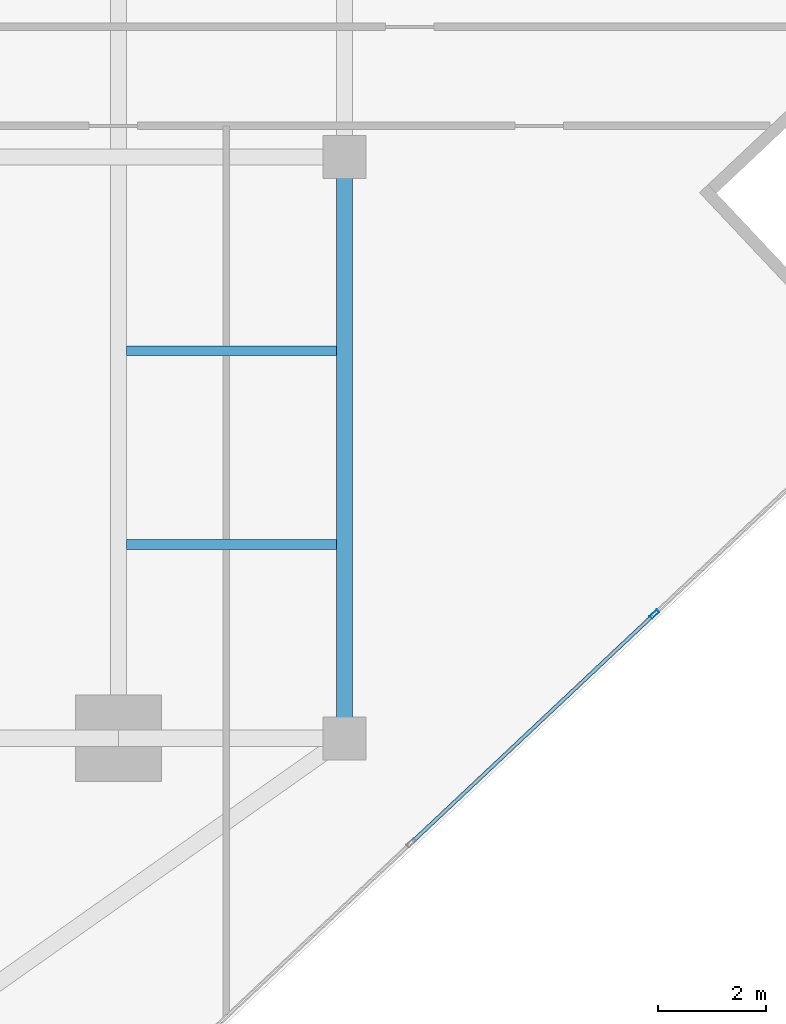
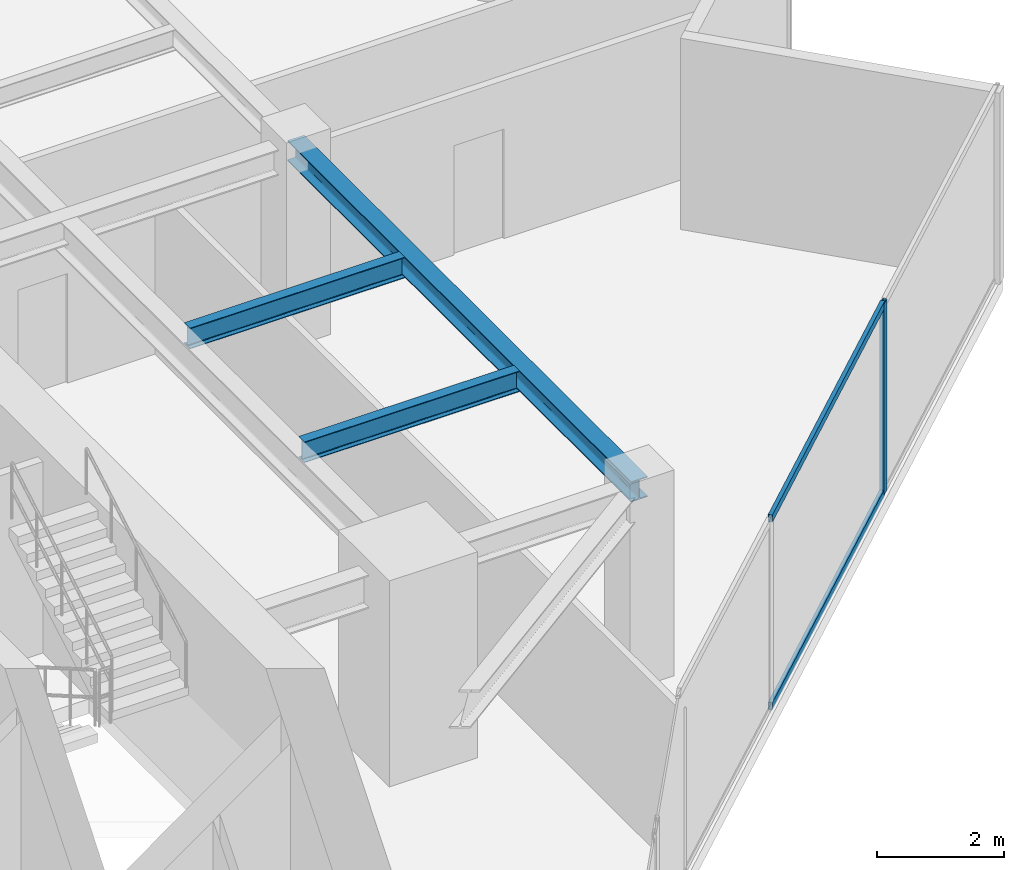
# One storey, part 10 of 24: 3 beams, 3 members, 1 element without a shape of its own.
"""IFC4 building model written with IfcOpenShell, lengths in metres."""

from ifc_helpers import new_model, si_unit, direction, frame, origin, origin_2d, place, context, subcontext, project, spatial, hollow_rectangle, i_section, extrude, source, transform, mapped, material, material_profile, profile_set, type_object, type_shapes, element, aggregate, save


model = new_model("IFC4")

# Units and contexts
model_context = context("Model", 3, precision=1e-05, world=origin(), true_north=direction((0.0, 1.0)))
body_context = subcontext(model_context, "Body", "Model", "MODEL_VIEW")
ifc_project = project(units=[si_unit("LENGTHUNIT", "METRE"), si_unit("AREAUNIT", "SQUARE_METRE"), si_unit("VOLUMEUNIT", "CUBIC_METRE"), si_unit("PLANEANGLEUNIT", "RADIAN"), si_unit("MASSUNIT", "GRAM", prefix="KILO")], contexts=[model_context])

# Site, building, storey
site_placement = place(None, origin())
site = spatial("IfcSite", under=ifc_project, at=site_placement, CompositionType="ELEMENT")
building_placement = place(site_placement, origin())
building = spatial("IfcBuilding", under=site, at=building_placement, Name="Krantzveldt Concourse Tower", CompositionType="ELEMENT")
storey_placement = place(building_placement, frame((0.0, 0.0, 246.800048828125)))
storey = spatial("IfcBuildingStorey", under=building, at=storey_placement, Name="L60", CompositionType="ELEMENT", Elevation=246.800048828125)

# Beams
ifc_material_1 = material(Name="Steel S355JR", Category="steel")
ifc_material_profile_1 = material_profile(ifc_material_1, i_section(OverallWidth=0.300048828125, OverallDepth=0.389892578125, WebThickness=0.010986328125, FlangeThickness=0.01904296875, FilletRadius=0.027099609375, at=origin_2d()), Name="Steel S355JR", Category="steel")
ifc_profile_set_1 = profile_set([ifc_material_profile_1], Name="Steel S355JR - HEA 400")
beam_type_1 = type_object("IfcBeamType", Name="BM-SP-HEA400", PredefinedType="SPANDREL", material=ifc_profile_set_1)
shared_shape_1 = source(origin(), body_context, "Body", "SweptSolid", [
    extrude(i_section(OverallWidth=0.300048828125, OverallDepth=0.389892578125, WebThickness=0.010986328125, FlangeThickness=0.01904296875, FilletRadius=0.027099609375, at=origin_2d()), origin(), (0.0, 0.0, 1.0), 10.800048828125),
])
type_shapes(beam_type_1, [shared_shape_1])
beam_placement = place(storey_placement, frame((51.0, 26.699951171875, 3.474853515625), z_axis=(0.0, -1.0, 0.0), x_axis=(1.0, 0.0, 0.0)))
element("IfcBeam", 1, at=beam_placement, inside=storey, type_object=beam_type_1, Name="L60 Tower Girder SP-R07", PredefinedType="SPANDREL", context=body_context, shape_type="MappedRepresentation", body=[
    mapped(shared_shape_1, transform((0.0, 0.0, 0.0), x_axis=(1.0, 0.0, 0.0), y_axis=(0.0, 1.0, 0.0), z_axis=(0.0, 0.0, 1.0), scale=1.0)),
])
ifc_material_profile_2 = material_profile(ifc_material_1, i_section(OverallWidth=0.179931640625, OverallDepth=0.39990234375, WebThickness=0.008544921875, FlangeThickness=0.013427734375, FilletRadius=0.02099609375, at=origin_2d()), Name="Steel S355JR", Category="steel")
ifc_profile_set_2 = profile_set([ifc_material_profile_2], Name="Steel S355JR - IPE 400")
beam_type_2 = type_object("IfcBeamType", Name="BM-J-IPE400", PredefinedType="JOIST", material=ifc_profile_set_2)
shared_shape_2 = source(origin(), body_context, "Body", "SweptSolid", [
    extrude(i_section(OverallWidth=0.179931640625, OverallDepth=0.39990234375, WebThickness=0.008544921875, FlangeThickness=0.013427734375, FilletRadius=0.02099609375, at=origin_2d()), origin(), (0.0, 0.0, 1.0), 3.900146484375),
])
type_shapes(beam_type_2, [shared_shape_2])
for number, where, z_axis, x_axis, name in (
    (2, (46.949951171875, 19.5, 3.469970703125), (1.0, 0.0, 0.0), (0.0, 1.0, 0.0), "L60 Secondary Floor Joist JE-1"),
    (3, (46.949951171875, 23.10009765625, 3.469970703125), (1.0, 0.0, 0.0), (0.0, 1.0, 0.0), "L60 Secondary Floor Joist JE-2"),
):
    element("IfcBeam", number, at=place(storey_placement, frame(where, z_axis=z_axis, x_axis=x_axis)), inside=storey, type_object=beam_type_2, Name=name, PredefinedType="JOIST", context=body_context, shape_type="MappedRepresentation", body=[
        mapped(shared_shape_2, transform((0.0, 0.0, 0.0), x_axis=(1.0, 0.0, 0.0), y_axis=(0.0, 1.0, 0.0), z_axis=(0.0, 0.0, 1.0), scale=1.0)),
    ])

# Curtain wall, members
ifc_material_2 = material(Name="Anodised aluminium 6063-T6", Category="aluminium")
curtain_wall_type = type_object("IfcCurtainWallType", Name="CW3", PredefinedType="USERDEFINED", material=ifc_material_2)
curtain_wall_placement = place(storey_placement, origin())
curtain_wall = element("IfcCurtainWall", 4, at=curtain_wall_placement, inside=storey, type_object=curtain_wall_type, Name="CW-L60-F11", ObjectType="UNITISED CURTAIN WALL", PredefinedType="USERDEFINED")
ifc_material_profile_3 = material_profile(ifc_material_2, hollow_rectangle(XDim=0.070068359375, YDim=0.179931640625, WallThickness=0.0048828125, at=origin_2d()), Name="Anodised aluminium 6063-T6", Category="aluminium")
ifc_profile_set_3 = profile_set([ifc_material_profile_3], Name="Anodised aluminium 6063-T6 - ALU-MULL 180x70x5")
member_type_1 = type_object("IfcMemberType", Name="CW-MUL-180", PredefinedType="MULLION", material=ifc_profile_set_3)
shared_shape_3 = source(origin(), body_context, "Body", "SweptSolid", [
    extrude(hollow_rectangle(XDim=0.070068359375, YDim=0.179931640625, WallThickness=0.0048828125, at=origin_2d()), origin(), (0.0, 0.0, 1.0), 3.669921875),
])
type_shapes(member_type_1, [shared_shape_3])
member_1_placement = place(storey_placement, frame((56.758544921875, 18.2060546875, 0.0), z_axis=(0.0, 0.0, 1.0), x_axis=(-0.685182945184, 0.728371012348, 0.0)))
member_1 = element("IfcMember", 5, at=member_1_placement, type_object=member_type_1, Name="CW-Z34 mullion 5", PredefinedType="MULLION", context=body_context, shape_type="MappedRepresentation", body=[
    mapped(shared_shape_3, transform((0.0, 0.0, 0.0), x_axis=(1.0, 0.0, 0.0), y_axis=(0.0, 1.0, 0.0), z_axis=(0.0, 0.0, 1.0), scale=1.0)),
])
ifc_material_profile_4 = material_profile(ifc_material_2, hollow_rectangle(XDim=0.070068359375, YDim=0.139892578125, WallThickness=0.0048828125, at=origin_2d()), Name="Anodised aluminium 6063-T6", Category="aluminium")
ifc_profile_set_4 = profile_set([ifc_material_profile_4], Name="Anodised aluminium 6063-T6 - ALU-TRAN 140x70x5")
member_type_2 = type_object("IfcMemberType", Name="CW-TRN-150", PredefinedType="USERDEFINED", material=ifc_profile_set_4)
shared_shape_4 = source(origin(), body_context, "Body", "SweptSolid", [
    extrude(hollow_rectangle(XDim=0.070068359375, YDim=0.139892578125, WallThickness=0.0048828125, at=origin_2d()), origin(), (0.0, 0.0, 1.0), 6.1298828125),
])
type_shapes(member_type_2, [shared_shape_4])
member_2_placement = place(storey_placement, frame((52.26806640625, 13.98193359375, 0.034912109375), z_axis=(0.72836366623, 0.685190754255, 0.0), x_axis=(-0.685190754255, 0.72836366623, 0.0)))
member_2 = element("IfcMember", 6, at=member_2_placement, type_object=member_type_2, Name="CW-Z34 transom 4.1", ObjectType="TRANSOM", PredefinedType="USERDEFINED", context=body_context, shape_type="MappedRepresentation", body=[
    mapped(shared_shape_4, transform((0.0, 0.0, 0.0), x_axis=(1.0, 0.0, 0.0), y_axis=(0.0, 1.0, 0.0), z_axis=(0.0, 0.0, 1.0), scale=1.0)),
])
member_3_placement = place(storey_placement, frame((52.26806640625, 13.98193359375, 3.635009765625), z_axis=(0.72836366623, 0.685190754255, 0.0), x_axis=(-0.685190754255, 0.72836366623, 0.0)))
member_3 = element("IfcMember", 7, at=member_3_placement, type_object=member_type_2, Name="CW-Z34 transom 4.2", ObjectType="TRANSOM", PredefinedType="USERDEFINED", context=body_context, shape_type="MappedRepresentation", body=[
    mapped(shared_shape_4, transform((0.0, 0.0, 0.0), x_axis=(1.0, 0.0, 0.0), y_axis=(0.0, 1.0, 0.0), z_axis=(0.0, 0.0, 1.0), scale=1.0)),
])
aggregate(curtain_wall, [member_1, member_2, member_3])

save(model, "model.ifc")
